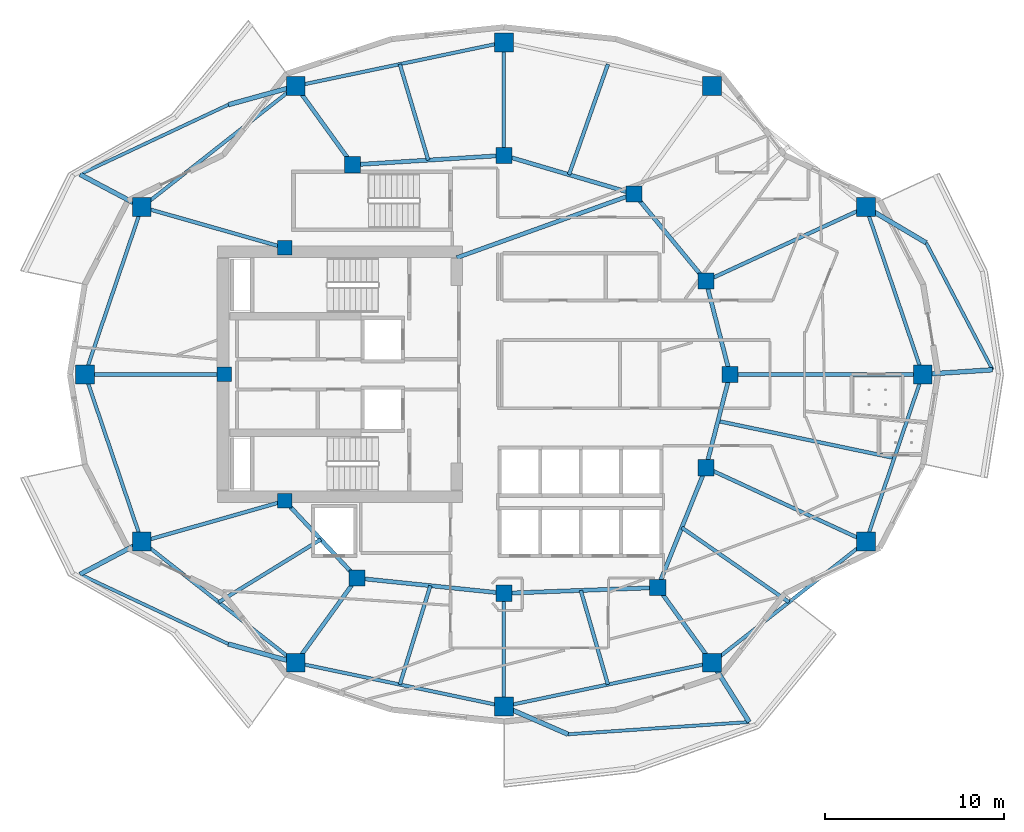
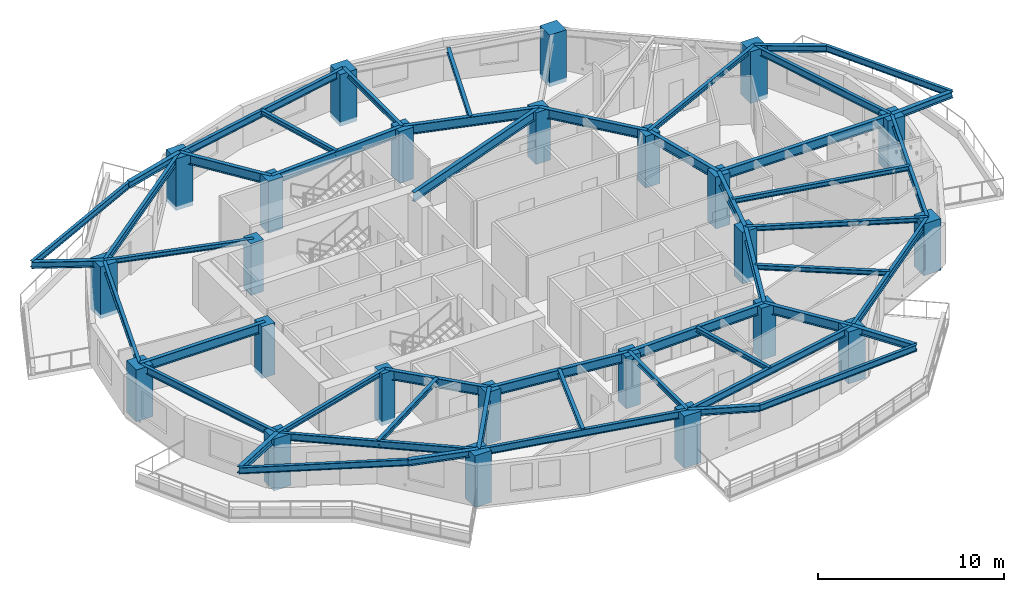
# One storey, part 1 of 14: 50 beams, 24 columns.
"""IFC4 building model written with IfcOpenShell, lengths in metres."""

from ifc_helpers import new_model, si_unit, direction, frame, origin, origin_2d, place, context, subcontext, project, spatial, rectangle, i_section, extrude, material, material_profile, profile_set, type_object, element, save


model = new_model("IFC4")

# Units and contexts
model_context = context("Model", 3, precision=1e-05, world=origin(), true_north=direction((0.0, 1.0)))
body_context = subcontext(model_context, "Body", "Model", "MODEL_VIEW")
ifc_project = project(units=[si_unit("LENGTHUNIT", "METRE"), si_unit("AREAUNIT", "SQUARE_METRE"), si_unit("VOLUMEUNIT", "CUBIC_METRE"), si_unit("PLANEANGLEUNIT", "RADIAN"), si_unit("MASSUNIT", "GRAM", prefix="KILO")], contexts=[model_context])

# Site, building, storey
site_placement = place(None, origin())
site = spatial("IfcSite", under=ifc_project, at=site_placement, CompositionType="ELEMENT")
building_placement = place(site_placement, origin())
building = spatial("IfcBuilding", under=site, at=building_placement, Name="Kolvaren Gate Tower and Convention Centre", CompositionType="ELEMENT")
storey_placement = place(building_placement, frame((0.0, 0.0, 132.5)))
storey = spatial("IfcBuildingStorey", under=building, at=storey_placement, Name="L33", CompositionType="ELEMENT", Elevation=132.5)

# Columns
ifc_material_1 = material(Name="Concrete C60/75", Category="concrete")
ifc_material_profile_1 = material_profile(ifc_material_1, rectangle(XDim=1.050048828125, YDim=1.050048828125, at=origin_2d()), Name="RC-COL-1050X1050")
ifc_profile_set_1 = profile_set([ifc_material_profile_1], Name="Concrete C60/75")
column_type_1 = type_object("IfcColumnType", Name="STR-COL-RC1050", PredefinedType="COLUMN", material=ifc_profile_set_1)
for number, where, z_axis, x_axis, name in (
    (1, (53.46240234375, 27.0, -0.27001953125), (0.0, 0.0, 1.0), (1.0, 0.0, 0.0), "Tower L33 Perimeter Supercolumn TP-01"),
    (2, (50.30029296875, 36.318603515625, -0.27001953125), (0.0, 0.0, 1.0), (1.0, 0.0, 0.0), "Tower L33 Perimeter Supercolumn TP-02"),
    (3, (41.721435546875, 43.068359375, -0.27001953125), (0.0, 0.0, 1.0), (1.0, 0.0, 0.0), "Tower L33 Perimeter Supercolumn TP-03"),
    (4, (30.125, 45.5, -0.27001953125), (0.0, 0.0, 1.0), (1.0, 0.0, 0.0), "Tower L33 Perimeter Supercolumn TP-04"),
    (5, (18.52880859375, 43.068359375, -0.27001953125), (0.0, 0.0, 1.0), (1.0, 0.0, 0.0), "Tower L33 Perimeter Supercolumn TP-05"),
    (6, (9.94970703125, 36.318603515625, -0.27001953125), (0.0, 0.0, 1.0), (1.0, 0.0, 0.0), "Tower L33 Perimeter Supercolumn TP-06"),
    (7, (6.78759765625, 27.0, -0.27001953125), (0.0, 0.0, 1.0), (1.0, 0.0, 0.0), "Tower L33 Perimeter Supercolumn TP-07"),
    (8, (9.94970703125, 17.681396484375, -0.27001953125), (0.0, 0.0, 1.0), (1.0, 0.0, 0.0), "Tower L33 Perimeter Supercolumn TP-08"),
    (9, (18.528564453125, 10.931640625, -0.27001953125), (0.0, 0.0, 1.0), (1.0, 0.0, 0.0), "Tower L33 Perimeter Supercolumn TP-09"),
    (10, (30.125, 8.5, -0.27001953125), (0.0, 0.0, 1.0), (1.0, 0.0, 0.0), "Tower L33 Perimeter Supercolumn TP-10"),
    (11, (41.721435546875, 10.931640625, -0.27001953125), (0.0, 0.0, 1.0), (1.0, 0.0, 0.0), "Tower L33 Perimeter Supercolumn TP-11"),
    (12, (50.30029296875, 17.681396484375, -0.27001953125), (0.0, 0.0, 1.0), (1.0, 0.0, 0.0), "Tower L33 Perimeter Supercolumn TP-12"),
):
    element("IfcColumn", number, at=place(storey_placement, frame(where, z_axis=z_axis, x_axis=x_axis)), inside=storey, type_object=column_type_1, Name=name, PredefinedType="COLUMN", context=body_context, shape_type="SweptSolid", body=[
        extrude(rectangle(XDim=1.050048828125, YDim=1.050048828125, at=origin_2d()), origin(), (0.0, 0.0, 1.0), 3.39990234375),
    ])
ifc_material_profile_2 = material_profile(ifc_material_1, rectangle(XDim=0.89990234375, YDim=0.89990234375, at=origin_2d()), Name="RC-COL-900X900")
ifc_profile_set_2 = profile_set([ifc_material_profile_2], Name="Concrete C60/75")
column_type_2 = type_object("IfcColumnType", Name="STR-COL-RC900", PredefinedType="COLUMN", material=ifc_profile_set_2)
for number, where, z_axis, x_axis, name in (
    (13, (42.72509765625, 27.0, -0.27001953125), (0.0, 0.0, 1.0), (1.0, 0.0, 0.0), "Tower L33 Interior Column TI-01"),
    (14, (41.382080078125, 32.199462890625, -0.27001953125), (0.0, 0.0, 1.0), (1.0, 0.0, 0.0), "Tower L33 Interior Column TI-02"),
    (15, (37.381591796875, 37.054931640625, -0.27001953125), (0.0, 0.0, 1.0), (1.0, 0.0, 0.0), "Tower L33 Interior Column TI-03"),
    (16, (30.125, 39.199951171875, -0.27001953125), (0.0, 0.0, 1.0), (1.0, 0.0, 0.0), "Tower L33 Interior Column TI-04"),
    (17, (21.697998046875, 38.6767578125, -0.27001953125), (0.0, 0.0, 1.0), (1.0, 0.0, 0.0), "Tower L33 Interior Column TI-05"),
    (18, (21.93212890625, 15.647705078125, -0.27001953125), (0.0, 0.0, 1.0), (1.0, 0.0, 0.0), "Tower L33 Interior Column TI-06"),
    (19, (30.125, 14.800048828125, -0.27001953125), (0.0, 0.0, 1.0), (1.0, 0.0, 0.0), "Tower L33 Interior Column TI-07"),
    (20, (38.6982421875, 15.12060546875, -0.27001953125), (0.0, 0.0, 1.0), (1.0, 0.0, 0.0), "Tower L33 Interior Column TI-08"),
    (21, (41.382080078125, 21.800537109375, -0.27001953125), (0.0, 0.0, 1.0), (1.0, 0.0, 0.0), "Tower L33 Interior Column TI-09"),
):
    element("IfcColumn", number, at=place(storey_placement, frame(where, z_axis=z_axis, x_axis=x_axis)), inside=storey, type_object=column_type_2, Name=name, PredefinedType="COLUMN", context=body_context, shape_type="SweptSolid", body=[
        extrude(rectangle(XDim=0.89990234375, YDim=0.89990234375, at=origin_2d()), origin(), (0.0, 0.0, 1.0), 3.39990234375),
    ])
ifc_material_profile_3 = material_profile(ifc_material_1, rectangle(XDim=0.800048828125, YDim=0.800048828125, at=origin_2d()), Name="RC-COL-800X800")
ifc_profile_set_3 = profile_set([ifc_material_profile_3], Name="Concrete C60/75")
column_type_3 = type_object("IfcColumnType", Name="STR-PIL-RC800", PredefinedType="PILASTER", material=ifc_profile_set_3)
for number, where, z_axis, x_axis, name in (
    (22, (17.9140625, 34.050048828125, -0.27001953125), (0.0, 0.0, 1.0), (1.0, 0.0, 0.0), "Tower L33 Core Boundary Pilaster TC-05"),
    (23, (14.550048828125, 27.0, -0.27001953125), (0.0, 0.0, 1.0), (1.0, 0.0, 0.0), "Tower L33 Core Boundary Pilaster TC-06"),
    (24, (17.9140625, 19.949951171875, -0.27001953125), (0.0, 0.0, 1.0), (1.0, 0.0, 0.0), "Tower L33 Core Boundary Pilaster TC-07"),
):
    element("IfcColumn", number, at=place(storey_placement, frame(where, z_axis=z_axis, x_axis=x_axis)), inside=storey, type_object=column_type_3, Name=name, PredefinedType="PILASTER", context=body_context, shape_type="SweptSolid", body=[
        extrude(rectangle(XDim=0.800048828125, YDim=0.800048828125, at=origin_2d()), origin(), (0.0, 0.0, 1.0), 3.39990234375),
    ])

# Beams
ifc_material_2 = material(Name="Structural steel ASTM A992 Grade 345 MPa", Category="steel")
ifc_material_profile_4 = material_profile(ifc_material_2, i_section(OverallWidth=0.260009765625, OverallDepth=0.419921875, WebThickness=0.013427734375, FlangeThickness=0.0224609375, at=origin_2d()), Name="W410X132")
ifc_profile_set_4 = profile_set([ifc_material_profile_4], Name="Structural steel ASTM A992 Grade 345 MPa")
beam_type_1 = type_object("IfcBeamType", Name="STR-BM-W410X132", PredefinedType="BEAM", material=ifc_profile_set_4)
beam_1_placement = place(storey_placement, frame((18.52880859375, 43.068359375, 2.92041015625), z_axis=(-0.963563633004, -0.267479205082, 0.0), x_axis=(0.267479205082, -0.963563633004, 0.0)))
element("IfcBeam", 25, at=beam_1_placement, inside=storey, type_object=beam_type_1, Name="Tower L34 Planted Balcony Outrigger Cantilever BC-1A", PredefinedType="BEAM", context=body_context, shape_type="SweptSolid", body=[
    extrude(i_section(OverallWidth=0.260009765625, OverallDepth=0.419921875, WebThickness=0.013427734375, FlangeThickness=0.0224609375, at=origin_2d()), origin(), (0.0, 0.0, 1.0), 3.900146484375),
])
for number, where, z_axis, x_axis, name in (
    (26, (9.94970703125, 36.318603515625, 2.92041015625), (-0.883728523532, 0.467999889632, 0.0), (-0.467999889632, -0.883728523532, 0.0), "Tower L34 Planted Balcony Outrigger Cantilever BC-1B"),
    (27, (9.94970703125, 17.681396484375, 2.92041015625), (-0.883728523532, -0.467999889632, 0.0), (0.467999889632, -0.883728523532, 0.0), "Tower L34 Planted Balcony Outrigger Cantilever BC-2A"),
    (28, (18.528564453125, 10.931640625, 2.92041015625), (-0.963559154052, 0.267495339479, 0.0), (-0.267495339479, -0.963559154052, 0.0), "Tower L34 Planted Balcony Outrigger Cantilever BC-2B"),
    (29, (30.125, 8.5, 2.92041015625), (0.917050150006, -0.398771892657, 0.0), (0.398771892657, 0.917050150006, 0.0), "Tower L34 Planted Balcony Outrigger Cantilever BC-3A"),
    (30, (41.721435546875, 10.931640625, 2.92041015625), (0.531489309578, -0.847064999752, 0.0), (0.847064999752, 0.531489309578, 0.0), "Tower L34 Planted Balcony Outrigger Cantilever BC-3B"),
    (31, (53.46240234375, 27.0, 2.92041015625), (0.997849773417, 0.06554257922, 0.0), (-0.06554257922, 0.997849773417, 0.0), "Tower L34 Planted Balcony Outrigger Cantilever BC-4A"),
    (32, (50.30029296875, 36.318603515625, 2.92041015625), (0.860390154059, -0.509635931621, 0.0), (0.509635931621, 0.860390154059, 0.0), "Tower L34 Planted Balcony Outrigger Cantilever BC-4B"),
):
    element("IfcBeam", number, at=place(storey_placement, frame(where, z_axis=z_axis, x_axis=x_axis)), inside=storey, type_object=beam_type_1, Name=name, PredefinedType="BEAM", context=body_context, shape_type="SweptSolid", body=[
        extrude(i_section(OverallWidth=0.260009765625, OverallDepth=0.419921875, WebThickness=0.013427734375, FlangeThickness=0.0224609375, at=origin_2d()), origin(), (0.0, 0.0, 1.0), 3.89990234375),
    ])
ifc_material_profile_5 = material_profile(ifc_material_2, i_section(OverallWidth=0.22998046875, OverallDepth=0.616943359375, WebThickness=0.01318359375, FlangeThickness=0.022216796875, at=origin_2d()), Name="W610X140")
ifc_profile_set_5 = profile_set([ifc_material_profile_5], Name="Structural steel ASTM A992 Grade 345 MPa")
beam_type_2 = type_object("IfcBeamType", Name="STR-BM-W610X140", PredefinedType="BEAM", material=ifc_profile_set_5)
beam_2_placement = place(storey_placement, frame((42.72509765625, 27.0, 2.821533203125), z_axis=(-0.250091133936, -0.968222301296, 0.0), x_axis=(0.968222301296, -0.250091133936, 0.0)))
element("IfcBeam", 33, at=beam_2_placement, inside=storey, type_object=beam_type_2, Name="Tower L33 Primary Ring Girder G-01", PredefinedType="BEAM", context=body_context, shape_type="SweptSolid", body=[
    extrude(i_section(OverallWidth=0.22998046875, OverallDepth=0.616943359375, WebThickness=0.01318359375, FlangeThickness=0.022216796875, at=origin_2d()), origin(), (0.0, 0.0, 1.0), 5.3701171875),
])
beam_3_placement = place(storey_placement, frame((41.382080078125, 32.199462890625, 2.821533203125), z_axis=(-0.635884066011, 0.771784590798, 0.0), x_axis=(-0.771784590798, -0.635884066011, 0.0)))
element("IfcBeam", 34, at=beam_3_placement, inside=storey, type_object=beam_type_2, Name="Tower L33 Primary Ring Girder G-02", PredefinedType="BEAM", context=body_context, shape_type="SweptSolid", body=[
    extrude(i_section(OverallWidth=0.22998046875, OverallDepth=0.616943359375, WebThickness=0.01318359375, FlangeThickness=0.022216796875, at=origin_2d()), origin(), (0.0, 0.0, 1.0), 6.291259765625),
])
beam_4_placement = place(storey_placement, frame((37.381591796875, 37.054931640625, 2.821533203125), z_axis=(-0.958980837827, 0.283470902706, 0.0), x_axis=(-0.283470902706, -0.958980837827, 0.0)))
element("IfcBeam", 35, at=beam_4_placement, inside=storey, type_object=beam_type_2, Name="Tower L33 Primary Ring Girder G-03", PredefinedType="BEAM", context=body_context, shape_type="SweptSolid", body=[
    extrude(i_section(OverallWidth=0.22998046875, OverallDepth=0.616943359375, WebThickness=0.01318359375, FlangeThickness=0.022216796875, at=origin_2d()), origin(), (0.0, 0.0, 1.0), 7.56689453125),
])
beam_5_placement = place(storey_placement, frame((30.125, 39.199951171875, 2.821533203125), z_axis=(-0.998078258568, -0.06196603726, 0.0), x_axis=(0.06196603726, -0.998078258568, 0.0)))
element("IfcBeam", 36, at=beam_5_placement, inside=storey, type_object=beam_type_2, Name="Tower L33 Primary Ring Girder G-04", PredefinedType="BEAM", context=body_context, shape_type="SweptSolid", body=[
    extrude(i_section(OverallWidth=0.22998046875, OverallDepth=0.616943359375, WebThickness=0.01318359375, FlangeThickness=0.022216796875, at=origin_2d()), origin(), (0.0, 0.0, 1.0), 8.443115234375),
])
beam_6_placement = place(storey_placement, frame((17.9140625, 19.949951171875, 2.821533203125), z_axis=(0.682557592987, -0.730831808459, 0.0), x_axis=(0.730831808459, 0.682557592987, 0.0)))
element("IfcBeam", 37, at=beam_6_placement, inside=storey, type_object=beam_type_2, Name="Tower L33 Primary Ring Girder G-06", PredefinedType="BEAM", context=body_context, shape_type="SweptSolid", body=[
    extrude(i_section(OverallWidth=0.22998046875, OverallDepth=0.616943359375, WebThickness=0.01318359375, FlangeThickness=0.022216796875, at=origin_2d()), origin(), (0.0, 0.0, 1.0), 5.88671875),
])
beam_7_placement = place(storey_placement, frame((21.93212890625, 15.647705078125, 2.821533203125), z_axis=(0.994690329115, -0.102913308978, 0.0), x_axis=(0.102913308978, 0.994690329115, 0.0)))
element("IfcBeam", 38, at=beam_7_placement, inside=storey, type_object=beam_type_2, Name="Tower L33 Primary Ring Girder G-07", PredefinedType="BEAM", context=body_context, shape_type="SweptSolid", body=[
    extrude(i_section(OverallWidth=0.22998046875, OverallDepth=0.616943359375, WebThickness=0.01318359375, FlangeThickness=0.022216796875, at=origin_2d()), origin(), (0.0, 0.0, 1.0), 8.236572265625),
])
beam_8_placement = place(storey_placement, frame((30.125, 14.800048828125, 2.821533203125), z_axis=(0.999301712453, 0.037364254142, 0.0), x_axis=(-0.037364254142, 0.999301712453, 0.0)))
element("IfcBeam", 39, at=beam_8_placement, inside=storey, type_object=beam_type_2, Name="Tower L33 Primary Ring Girder G-08", PredefinedType="BEAM", context=body_context, shape_type="SweptSolid", body=[
    extrude(i_section(OverallWidth=0.22998046875, OverallDepth=0.616943359375, WebThickness=0.01318359375, FlangeThickness=0.022216796875, at=origin_2d()), origin(), (0.0, 0.0, 1.0), 8.579345703125),
])
beam_9_placement = place(storey_placement, frame((38.6982421875, 15.12060546875, 2.821533203125), z_axis=(0.372811100169, 0.927907260232, 0.0), x_axis=(-0.927907260232, 0.372811100169, 0.0)))
element("IfcBeam", 40, at=beam_9_placement, inside=storey, type_object=beam_type_2, Name="Tower L33 Primary Ring Girder G-09", PredefinedType="BEAM", context=body_context, shape_type="SweptSolid", body=[
    extrude(i_section(OverallWidth=0.22998046875, OverallDepth=0.616943359375, WebThickness=0.01318359375, FlangeThickness=0.022216796875, at=origin_2d()), origin(), (0.0, 0.0, 1.0), 7.198974609375),
])
beam_10_placement = place(storey_placement, frame((27.5, 33.5, 2.821533203125), z_axis=(0.940961479908, 0.338513653093, 0.0), x_axis=(-0.338513653093, 0.940961479908, 0.0)))
element("IfcBeam", 41, at=beam_10_placement, inside=storey, type_object=beam_type_2, Name="Tower L33 Primary Ring Girder G-10", PredefinedType="BEAM", context=body_context, shape_type="SweptSolid", body=[
    extrude(i_section(OverallWidth=0.22998046875, OverallDepth=0.616943359375, WebThickness=0.01318359375, FlangeThickness=0.022216796875, at=origin_2d()), origin(), (0.0, 0.0, 1.0), 10.501708984375),
])
beam_11_placement = place(storey_placement, frame((42.72509765625, 27.0, 2.821533203125), z_axis=(-0.250091133936, 0.968222301296, 0.0), x_axis=(-0.968222301296, -0.250091133936, 0.0)))
element("IfcBeam", 42, at=beam_11_placement, inside=storey, type_object=beam_type_2, Name="Tower L33 Primary Ring Girder G-12", PredefinedType="BEAM", context=body_context, shape_type="SweptSolid", body=[
    extrude(i_section(OverallWidth=0.22998046875, OverallDepth=0.616943359375, WebThickness=0.01318359375, FlangeThickness=0.022216796875, at=origin_2d()), origin(), (0.0, 0.0, 1.0), 5.3701171875),
])
beam_12_placement = place(storey_placement, frame((42.72509765625, 27.0, 2.821533203125), z_axis=(1.0, 0.0, 0.0), x_axis=(0.0, 1.0, 0.0)))
element("IfcBeam", 43, at=beam_12_placement, inside=storey, type_object=beam_type_2, Name="Tower L33 Radial Floor Girder RB-01", PredefinedType="BEAM", context=body_context, shape_type="SweptSolid", body=[
    extrude(i_section(OverallWidth=0.22998046875, OverallDepth=0.616943359375, WebThickness=0.01318359375, FlangeThickness=0.022216796875, at=origin_2d()), origin(), (0.0, 0.0, 1.0), 10.7373046875),
])
beam_13_placement = place(storey_placement, frame((21.697998046875, 38.6767578125, 2.821533203125), z_axis=(-0.585184369967, 0.810900273243, 0.0), x_axis=(-0.810900273243, -0.585184369967, 0.0)))
element("IfcBeam", 44, at=beam_13_placement, inside=storey, type_object=beam_type_2, Name="Tower L33 Radial Floor Girder RB-05", PredefinedType="BEAM", context=body_context, shape_type="SweptSolid", body=[
    extrude(i_section(OverallWidth=0.22998046875, OverallDepth=0.616943359375, WebThickness=0.01318359375, FlangeThickness=0.022216796875, at=origin_2d()), origin(), (0.0, 0.0, 1.0), 5.415771484375),
])
beam_14_placement = place(storey_placement, frame((14.550048828125, 27.0, 2.821533203125), z_axis=(-1.0, 0.0, 0.0), x_axis=(0.0, -1.0, 0.0)))
element("IfcBeam", 45, at=beam_14_placement, inside=storey, type_object=beam_type_2, Name="Tower L33 Radial Floor Girder RB-07", PredefinedType="BEAM", context=body_context, shape_type="SweptSolid", body=[
    extrude(i_section(OverallWidth=0.22998046875, OverallDepth=0.616943359375, WebThickness=0.01318359375, FlangeThickness=0.022216796875, at=origin_2d()), origin(), (0.0, 0.0, 1.0), 7.762451171875),
])
beam_15_placement = place(storey_placement, frame((21.93212890625, 15.647705078125, 2.821533203125), z_axis=(-0.585210043569, -0.810881745328, 0.0), x_axis=(0.810881745328, -0.585210043569, 0.0)))
element("IfcBeam", 46, at=beam_15_placement, inside=storey, type_object=beam_type_2, Name="Tower L33 Radial Floor Girder RB-09", PredefinedType="BEAM", context=body_context, shape_type="SweptSolid", body=[
    extrude(i_section(OverallWidth=0.22998046875, OverallDepth=0.616943359375, WebThickness=0.01318359375, FlangeThickness=0.022216796875, at=origin_2d()), origin(), (0.0, 0.0, 1.0), 5.81591796875),
])
beam_16_placement = place(storey_placement, frame((38.6982421875, 15.12060546875, 2.821533203125), z_axis=(0.585214440031, -0.810878572401, 0.0), x_axis=(0.810878572401, 0.585214440031, 0.0)))
element("IfcBeam", 47, at=beam_16_placement, inside=storey, type_object=beam_type_2, Name="Tower L33 Radial Floor Girder RB-11", PredefinedType="BEAM", context=body_context, shape_type="SweptSolid", body=[
    extrude(i_section(OverallWidth=0.22998046875, OverallDepth=0.616943359375, WebThickness=0.01318359375, FlangeThickness=0.022216796875, at=origin_2d()), origin(), (0.0, 0.0, 1.0), 5.166015625),
])
ifc_material_profile_6 = material_profile(ifc_material_2, i_section(OverallWidth=0.205078125, OverallDepth=0.31005859375, WebThickness=0.009521484375, FlangeThickness=0.016357421875, at=origin_2d()), Name="W310X74")
ifc_profile_set_6 = profile_set([ifc_material_profile_6], Name="Structural steel ASTM A992 Grade 345 MPa")
beam_type_3 = type_object("IfcBeamType", Name="STR-JS-W310X74", PredefinedType="JOIST", material=ifc_profile_set_6)
beam_17_placement = place(storey_placement, frame((41.382080078125, 32.199462890625, 2.97509765625), z_axis=(0.907841510795, 0.419313476146, 0.0), x_axis=(-0.419313476146, 0.907841510795, 0.0)))
element("IfcBeam", 48, at=beam_17_placement, inside=storey, type_object=beam_type_3, Name="Tower L33 Radial Floor Girder RB-02", PredefinedType="JOIST", context=body_context, shape_type="SweptSolid", body=[
    extrude(i_section(OverallWidth=0.205078125, OverallDepth=0.31005859375, WebThickness=0.009521484375, FlangeThickness=0.016357421875, at=origin_2d()), origin(), (0.0, 0.0, 1.0), 9.823486328125),
])
beam_18_placement = place(storey_placement, frame((30.125, 39.199951171875, 2.97509765625), z_axis=(0.0, 1.0, 0.0), x_axis=(-1.0, 0.0, 0.0)))
element("IfcBeam", 49, at=beam_18_placement, inside=storey, type_object=beam_type_3, Name="Tower L33 Radial Floor Girder RB-04", PredefinedType="JOIST", context=body_context, shape_type="SweptSolid", body=[
    extrude(i_section(OverallWidth=0.205078125, OverallDepth=0.31005859375, WebThickness=0.009521484375, FlangeThickness=0.016357421875, at=origin_2d()), origin(), (0.0, 0.0, 1.0), 6.300048828125),
])
for number, where, z_axis, x_axis, name in (
    (50, (17.9140625, 34.050048828125, 2.97509765625), (-0.961746134311, 0.27394228067, 0.0), (-0.27394228067, -0.961746134311, 0.0), "Tower L33 Radial Floor Girder RB-06"),
    (51, (17.9140625, 19.949951171875, 2.97509765625), (-0.961746134311, -0.27394228067, 0.0), (0.27394228067, -0.961746134311, 0.0), "Tower L33 Radial Floor Girder RB-08"),
):
    element("IfcBeam", number, at=place(storey_placement, frame(where, z_axis=z_axis, x_axis=x_axis)), inside=storey, type_object=beam_type_3, Name=name, PredefinedType="JOIST", context=body_context, shape_type="SweptSolid", body=[
        extrude(i_section(OverallWidth=0.205078125, OverallDepth=0.31005859375, WebThickness=0.009521484375, FlangeThickness=0.016357421875, at=origin_2d()), origin(), (0.0, 0.0, 1.0), 8.28125),
    ])
beam_19_placement = place(storey_placement, frame((30.125, 14.800048828125, 2.97509765625), z_axis=(0.0, -1.0, 0.0), x_axis=(1.0, 0.0, 0.0)))
element("IfcBeam", 52, at=beam_19_placement, inside=storey, type_object=beam_type_3, Name="Tower L33 Radial Floor Girder RB-10", PredefinedType="JOIST", context=body_context, shape_type="SweptSolid", body=[
    extrude(i_section(OverallWidth=0.205078125, OverallDepth=0.31005859375, WebThickness=0.009521484375, FlangeThickness=0.016357421875, at=origin_2d()), origin(), (0.0, 0.0, 1.0), 6.300048828125),
])
beam_20_placement = place(storey_placement, frame((41.382080078125, 21.800537109375, 2.97509765625), z_axis=(0.907841510795, -0.419313476146, 0.0), x_axis=(0.419313476146, 0.907841510795, 0.0)))
element("IfcBeam", 53, at=beam_20_placement, inside=storey, type_object=beam_type_3, Name="Tower L33 Radial Floor Girder RB-12", PredefinedType="JOIST", context=body_context, shape_type="SweptSolid", body=[
    extrude(i_section(OverallWidth=0.205078125, OverallDepth=0.31005859375, WebThickness=0.009521484375, FlangeThickness=0.016357421875, at=origin_2d()), origin(), (0.0, 0.0, 1.0), 9.823486328125),
])
beam_21_placement = place(storey_placement, frame((33.75341796875, 38.12744140625, 2.97509765625), z_axis=(0.332372088023, 0.943148342046, 0.0), x_axis=(-0.943148342046, 0.332372088023, 0.0)))
element("IfcBeam", 54, at=beam_21_placement, inside=storey, type_object=beam_type_3, Name="Tower L33 Secondary Composite Floor Joist J-03.1", PredefinedType="JOIST", context=body_context, shape_type="SweptSolid", body=[
    extrude(i_section(OverallWidth=0.205078125, OverallDepth=0.31005859375, WebThickness=0.009521484375, FlangeThickness=0.016357421875, at=origin_2d()), origin(), (0.0, 0.0, 1.0), 6.52783203125),
])
beam_22_placement = place(storey_placement, frame((25.91162109375, 38.938232421875, 2.97509765625), z_axis=(-0.284209081553, 0.958762326107, 0.0), x_axis=(-0.958762326107, -0.284209081553, 0.0)))
element("IfcBeam", 55, at=beam_22_placement, inside=storey, type_object=beam_type_3, Name="Tower L33 Secondary Composite Floor Joist J-04.1", PredefinedType="JOIST", context=body_context, shape_type="SweptSolid", body=[
    extrude(i_section(OverallWidth=0.205078125, OverallDepth=0.31005859375, WebThickness=0.009521484375, FlangeThickness=0.016357421875, at=origin_2d()), origin(), (0.0, 0.0, 1.0), 5.575927734375),
])
beam_23_placement = place(storey_placement, frame((19.923095703125, 17.798828125, 2.97509765625), z_axis=(-0.852013723702, -0.523519450091, 0.0), x_axis=(0.523519450091, -0.852013723702, 0.0)))
element("IfcBeam", 56, at=beam_23_placement, inside=storey, type_object=beam_type_3, Name="Tower L33 Secondary Composite Floor Joist J-08.1", PredefinedType="JOIST", context=body_context, shape_type="SweptSolid", body=[
    extrude(i_section(OverallWidth=0.205078125, OverallDepth=0.31005859375, WebThickness=0.009521484375, FlangeThickness=0.016357421875, at=origin_2d()), origin(), (0.0, 0.0, 1.0), 6.671142578125),
])
beam_24_placement = place(storey_placement, frame((26.028564453125, 15.223876953125, 2.97509765625), z_axis=(-0.295174836894, -0.95544325612, 0.0), x_axis=(0.95544325612, -0.295174836894, 0.0)))
element("IfcBeam", 57, at=beam_24_placement, inside=storey, type_object=beam_type_3, Name="Tower L33 Secondary Composite Floor Joist J-09.1", PredefinedType="JOIST", context=body_context, shape_type="SweptSolid", body=[
    extrude(i_section(OverallWidth=0.205078125, OverallDepth=0.31005859375, WebThickness=0.009521484375, FlangeThickness=0.016357421875, at=origin_2d()), origin(), (0.0, 0.0, 1.0), 5.764892578125),
])
beam_25_placement = place(storey_placement, frame((34.41162109375, 14.960205078125, 2.97509765625), z_axis=(0.27693589933, -0.960888395009, 0.0), x_axis=(0.960888395009, 0.27693589933, 0.0)))
element("IfcBeam", 58, at=beam_25_placement, inside=storey, type_object=beam_type_3, Name="Tower L33 Secondary Composite Floor Joist J-10.1", PredefinedType="JOIST", context=body_context, shape_type="SweptSolid", body=[
    extrude(i_section(OverallWidth=0.205078125, OverallDepth=0.31005859375, WebThickness=0.009521484375, FlangeThickness=0.016357421875, at=origin_2d()), origin(), (0.0, 0.0, 1.0), 5.457763671875),
])
beam_26_placement = place(storey_placement, frame((40.040283203125, 18.46044921875, 2.97509765625), z_axis=(0.820871677882, -0.571112675792, 0.0), x_axis=(0.571112675792, 0.820871677882, 0.0)))
element("IfcBeam", 59, at=beam_26_placement, inside=storey, type_object=beam_type_3, Name="Tower L33 Secondary Composite Floor Joist J-11.1", PredefinedType="JOIST", context=body_context, shape_type="SweptSolid", body=[
    extrude(i_section(OverallWidth=0.205078125, OverallDepth=0.31005859375, WebThickness=0.009521484375, FlangeThickness=0.016357421875, at=origin_2d()), origin(), (0.0, 0.0, 1.0), 7.273681640625),
])
beam_27_placement = place(storey_placement, frame((42.0537109375, 24.400146484375, 2.97509765625), z_axis=(0.978743091795, -0.205090127175, 0.0), x_axis=(0.205090127175, 0.978743091795, 0.0)))
element("IfcBeam", 60, at=beam_27_placement, inside=storey, type_object=beam_type_3, Name="Tower L33 Secondary Composite Floor Joist J-12.1", PredefinedType="JOIST", context=body_context, shape_type="SweptSolid", body=[
    extrude(i_section(OverallWidth=0.205078125, OverallDepth=0.31005859375, WebThickness=0.009521484375, FlangeThickness=0.016357421875, at=origin_2d()), origin(), (0.0, 0.0, 1.0), 10.041015625),
])
ifc_material_profile_7 = material_profile(ifc_material_2, i_section(OverallWidth=0.180908203125, OverallDepth=0.4169921875, WebThickness=0.010986328125, FlangeThickness=0.018310546875, at=origin_2d()), Name="W410X85")
ifc_profile_set_7 = profile_set([ifc_material_profile_7], Name="Structural steel ASTM A992 Grade 345 MPa")
beam_type_4 = type_object("IfcBeamType", Name="STR-SP-W410X85", PredefinedType="SPANDREL", material=ifc_profile_set_7)
for number, where, z_axis, x_axis, name in (
    (61, (14.770751953125, 42.025146484375, 2.922119140625), (-0.905209664084, -0.424965250402, 0.0), (0.424965250402, -0.905209664084, 0.0), "Tower L34 Planted Balcony Header Tie Beam BT-1"),
    (62, (6.503173828125, 15.856201171875, 2.922119140625), (0.905209664084, -0.424965250402, 0.0), (0.424965250402, 0.905209664084, 0.0), "Tower L34 Planted Balcony Header Tie Beam BT-2"),
):
    element("IfcBeam", number, at=place(storey_placement, frame(where, z_axis=z_axis, x_axis=x_axis)), inside=storey, type_object=beam_type_4, Name=name, PredefinedType="SPANDREL", context=body_context, shape_type="SweptSolid", body=[
        extrude(i_section(OverallWidth=0.180908203125, OverallDepth=0.4169921875, WebThickness=0.010986328125, FlangeThickness=0.018310546875, at=origin_2d()), origin(), (0.0, 0.0, 1.0), 9.13330078125),
    ])
beam_28_placement = place(storey_placement, frame((33.701416015625, 6.94482421875, 2.922119140625), z_axis=(0.997715743808, 0.067552161754, 0.0), x_axis=(-0.067552161754, 0.997715743808, 0.0)))
element("IfcBeam", 63, at=beam_28_placement, inside=storey, type_object=beam_type_4, Name="Tower L34 Planted Balcony Header Tie Beam BT-3", PredefinedType="SPANDREL", context=body_context, shape_type="SweptSolid", body=[
    extrude(i_section(OverallWidth=0.180908203125, OverallDepth=0.4169921875, WebThickness=0.010986328125, FlangeThickness=0.018310546875, at=origin_2d()), origin(), (0.0, 0.0, 1.0), 10.115966796875),
])
beam_29_placement = place(storey_placement, frame((57.35400390625, 27.255615234375, 2.922119140625), z_axis=(-0.463226370738, 0.886239995403, 0.0), x_axis=(-0.886239995403, -0.463226370738, 0.0)))
element("IfcBeam", 64, at=beam_29_placement, inside=storey, type_object=beam_type_4, Name="Tower L34 Planted Balcony Header Tie Beam BT-4", PredefinedType="SPANDREL", context=body_context, shape_type="SweptSolid", body=[
    extrude(i_section(OverallWidth=0.180908203125, OverallDepth=0.4169921875, WebThickness=0.010986328125, FlangeThickness=0.018310546875, at=origin_2d()), origin(), (0.0, 0.0, 1.0), 7.983642578125),
])
ifc_material_profile_8 = material_profile(ifc_material_2, i_section(OverallWidth=0.194091796875, OverallDepth=0.468994140625, WebThickness=0.0126953125, FlangeThickness=0.0205078125, at=origin_2d()), Name="W460X106")
ifc_profile_set_8 = profile_set([ifc_material_profile_8], Name="Structural steel ASTM A992 Grade 345 MPa")
beam_type_5 = type_object("IfcBeamType", Name="STR-SP-W460X106", PredefinedType="SPANDREL", material=ifc_profile_set_8)
beam_30_placement = place(storey_placement, frame((53.46240234375, 27.0, 2.8955078125), z_axis=(-0.321336471485, 0.946965084939, 0.0), x_axis=(-0.946965084939, -0.321336471485, 0.0)))
element("IfcBeam", 65, at=beam_30_placement, inside=storey, type_object=beam_type_5, Name="Tower L33 Perimeter Spandrel Beam SP-01", PredefinedType="SPANDREL", context=body_context, shape_type="SweptSolid", body=[
    extrude(i_section(OverallWidth=0.194091796875, OverallDepth=0.468994140625, WebThickness=0.0126953125, FlangeThickness=0.0205078125, at=origin_2d()), origin(), (0.0, 0.0, 1.0), 9.840576171875),
])
beam_31_placement = place(storey_placement, frame((30.125, 45.5, 2.8955078125), z_axis=(-0.978713879092, -0.20522948831, 0.0), x_axis=(0.20522948831, -0.978713879092, 0.0)))
element("IfcBeam", 66, at=beam_31_placement, inside=storey, type_object=beam_type_5, Name="Tower L33 Perimeter Spandrel Beam SP-04", PredefinedType="SPANDREL", context=body_context, shape_type="SweptSolid", body=[
    extrude(i_section(OverallWidth=0.194091796875, OverallDepth=0.468994140625, WebThickness=0.0126953125, FlangeThickness=0.0205078125, at=origin_2d()), origin(), (0.0, 0.0, 1.0), 11.848388671875),
])
beam_32_placement = place(storey_placement, frame((18.52880859375, 43.068359375, 2.8955078125), z_axis=(-0.785916161629, -0.61833307116, 0.0), x_axis=(0.61833307116, -0.785916161629, 0.0)))
element("IfcBeam", 67, at=beam_32_placement, inside=storey, type_object=beam_type_5, Name="Tower L33 Perimeter Spandrel Beam SP-05", PredefinedType="SPANDREL", context=body_context, shape_type="SweptSolid", body=[
    extrude(i_section(OverallWidth=0.194091796875, OverallDepth=0.468994140625, WebThickness=0.0126953125, FlangeThickness=0.0205078125, at=origin_2d()), origin(), (0.0, 0.0, 1.0), 10.916015625),
])
for number, where, z_axis, x_axis, name in (
    (68, (9.94970703125, 36.318603515625, 2.8955078125), (-0.321336471485, -0.946965084939, 0.0), (0.946965084939, -0.321336471485, 0.0), "Tower L33 Perimeter Spandrel Beam SP-06"),
    (69, (6.78759765625, 27.0, 2.8955078125), (0.321336471485, -0.946965084939, 0.0), (0.946965084939, 0.321336471485, 0.0), "Tower L33 Perimeter Spandrel Beam SP-07"),
):
    element("IfcBeam", number, at=place(storey_placement, frame(where, z_axis=z_axis, x_axis=x_axis)), inside=storey, type_object=beam_type_5, Name=name, PredefinedType="SPANDREL", context=body_context, shape_type="SweptSolid", body=[
        extrude(i_section(OverallWidth=0.194091796875, OverallDepth=0.468994140625, WebThickness=0.0126953125, FlangeThickness=0.0205078125, at=origin_2d()), origin(), (0.0, 0.0, 1.0), 9.840576171875),
    ])
beam_33_placement = place(storey_placement, frame((9.94970703125, 17.681396484375, 2.8955078125), z_axis=(0.785907610354, -0.618343939881, 0.0), x_axis=(0.618343939881, 0.785907610354, 0.0)))
element("IfcBeam", 70, at=beam_33_placement, inside=storey, type_object=beam_type_5, Name="Tower L33 Perimeter Spandrel Beam SP-08", PredefinedType="SPANDREL", context=body_context, shape_type="SweptSolid", body=[
    extrude(i_section(OverallWidth=0.194091796875, OverallDepth=0.468994140625, WebThickness=0.0126953125, FlangeThickness=0.0205078125, at=origin_2d()), origin(), (0.0, 0.0, 1.0), 10.915771484375),
])
for number, where, z_axis, x_axis, name in (
    (71, (18.528564453125, 10.931640625, 2.8955078125), (0.978714746947, -0.205225349578, 0.0), (0.205225349578, 0.978714746947, 0.0), "Tower L33 Perimeter Spandrel Beam SP-09"),
    (72, (30.125, 8.5, 2.8955078125), (0.978714746947, 0.205225349578, 0.0), (-0.205225349578, 0.978714746947, 0.0), "Tower L33 Perimeter Spandrel Beam SP-10"),
):
    element("IfcBeam", number, at=place(storey_placement, frame(where, z_axis=z_axis, x_axis=x_axis)), inside=storey, type_object=beam_type_5, Name=name, PredefinedType="SPANDREL", context=body_context, shape_type="SweptSolid", body=[
        extrude(i_section(OverallWidth=0.194091796875, OverallDepth=0.468994140625, WebThickness=0.0126953125, FlangeThickness=0.0205078125, at=origin_2d()), origin(), (0.0, 0.0, 1.0), 11.8486328125),
    ])
beam_34_placement = place(storey_placement, frame((41.721435546875, 10.931640625, 2.8955078125), z_axis=(0.785907610354, 0.618343939881, 0.0), x_axis=(-0.618343939881, 0.785907610354, 0.0)))
element("IfcBeam", 73, at=beam_34_placement, inside=storey, type_object=beam_type_5, Name="Tower L33 Perimeter Spandrel Beam SP-11", PredefinedType="SPANDREL", context=body_context, shape_type="SweptSolid", body=[
    extrude(i_section(OverallWidth=0.194091796875, OverallDepth=0.468994140625, WebThickness=0.0126953125, FlangeThickness=0.0205078125, at=origin_2d()), origin(), (0.0, 0.0, 1.0), 10.915771484375),
])
beam_35_placement = place(storey_placement, frame((50.30029296875, 17.681396484375, 2.8955078125), z_axis=(0.321336471485, 0.946965084939, 0.0), x_axis=(-0.946965084939, 0.321336471485, 0.0)))
element("IfcBeam", 74, at=beam_35_placement, inside=storey, type_object=beam_type_5, Name="Tower L33 Perimeter Spandrel Beam SP-12", PredefinedType="SPANDREL", context=body_context, shape_type="SweptSolid", body=[
    extrude(i_section(OverallWidth=0.194091796875, OverallDepth=0.468994140625, WebThickness=0.0126953125, FlangeThickness=0.0205078125, at=origin_2d()), origin(), (0.0, 0.0, 1.0), 9.840576171875),
])

save(model, "model.ifc")
